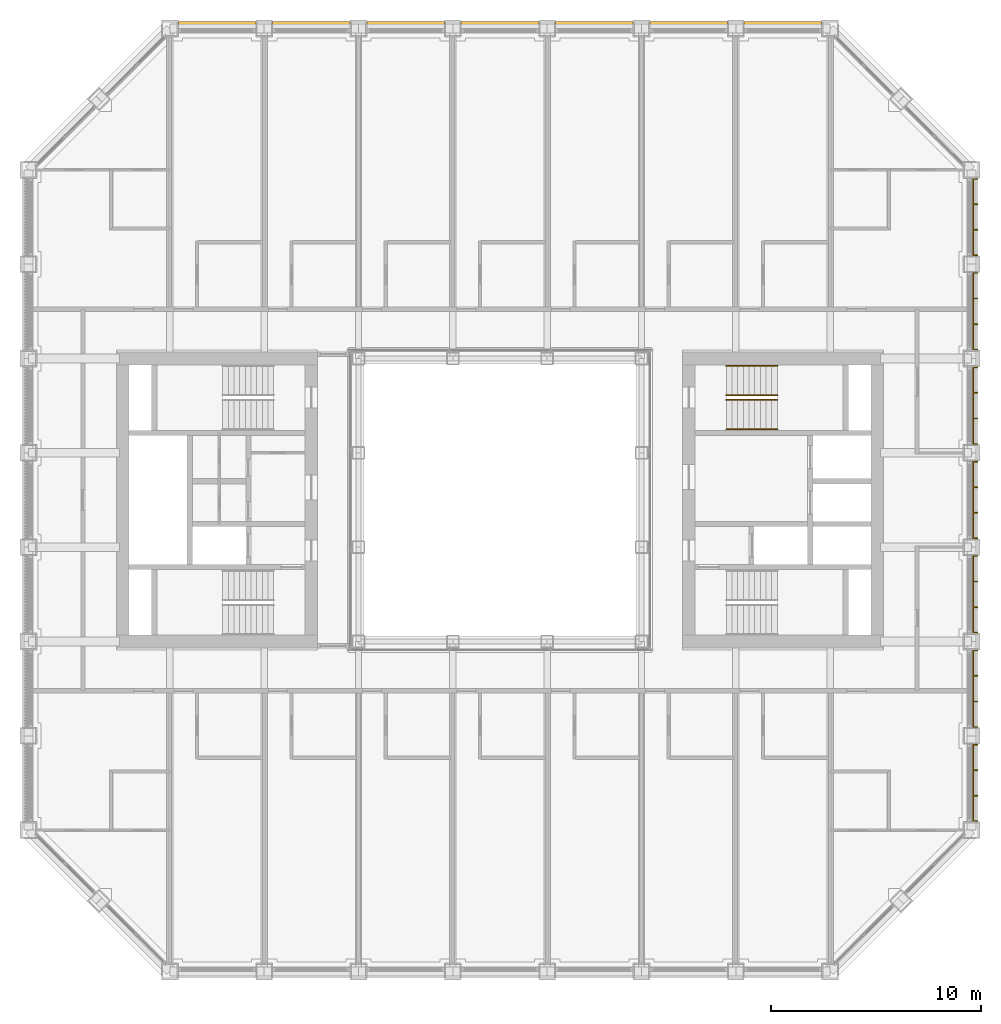
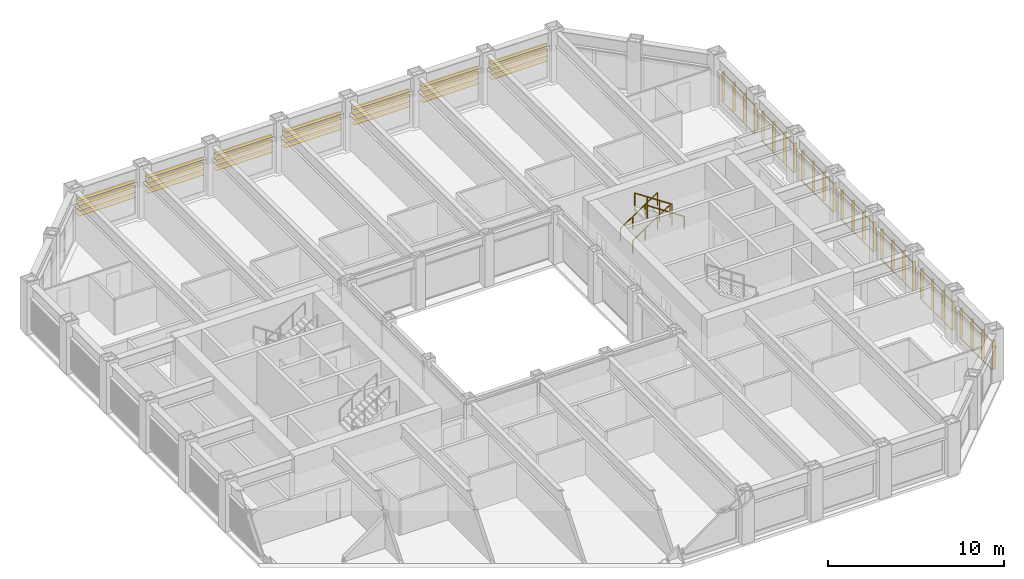
# One storey, part 18 of 18: 4 railings, 2 shading devices.
"""IFC4 building model written with IfcOpenShell, lengths in metres."""

from ifc_helpers import new_model, si_unit, direction, frame, origin, origin_2d, place, context, subcontext, project, spatial, rectangle, circle, extrude, material, type_object, element, save


model = new_model("IFC4")

# Units and contexts
model_context = context("Model", 3, precision=1e-05, world=origin(), true_north=direction((0.0, 1.0)))
body_context = subcontext(model_context, "Body", "Model", "MODEL_VIEW")
ifc_project = project(units=[si_unit("LENGTHUNIT", "METRE"), si_unit("AREAUNIT", "SQUARE_METRE"), si_unit("VOLUMEUNIT", "CUBIC_METRE"), si_unit("PLANEANGLEUNIT", "RADIAN"), si_unit("MASSUNIT", "GRAM", prefix="KILO")], contexts=[model_context])

# Site, building, storey
site_placement = place(None, origin())
site = spatial("IfcSite", under=ifc_project, at=site_placement, CompositionType="ELEMENT")
building_placement = place(site_placement, origin())
building = spatial("IfcBuilding", under=site, at=building_placement, Name="Msasa Ring Tower", CompositionType="ELEMENT")
storey_placement = place(building_placement, frame((0.0, 0.0, 118.39990234375)))
storey = spatial("IfcBuildingStorey", under=building, at=storey_placement, Name="L30", CompositionType="ELEMENT", Elevation=118.39990234375)

# Shading device
ifc_material_1 = material(Name="Extruded terracotta on aluminium carriers", Category="masonry")
shading_device_type_1 = type_object("IfcShadingDeviceType", Name="BS2 TERRACOTTA FIN SCREEN 40x200 AT 1350", PredefinedType="USERDEFINED", material=ifc_material_1)
shading_device_1_placement = place(storey_placement, origin())
element("IfcShadingDevice", 1, at=shading_device_1_placement, inside=storey, type_object=shading_device_type_1, Name="Terracotta fin screen E L30", ObjectType="BAGUETTE", PredefinedType="USERDEFINED", context=body_context, shape_type="SweptSolid", body=[
    extrude(rectangle(XDim=0.06005859375, YDim=0.0400390625, at=origin_2d()), frame((22.580078125, -15.35009765625, 0.330078125), z_axis=(0.0, 1.0, 0.0), x_axis=(0.0, 0.0, 1.0)), (0.0, 0.0, 1.0), 3.699951171875),
    extrude(rectangle(XDim=0.06005859375, YDim=0.0400390625, at=origin_2d()), frame((22.580078125, -15.35009765625, 2.299072265625), z_axis=(0.0, 1.0, 0.0), x_axis=(0.0, 0.0, 1.0)), (0.0, 0.0, 1.0), 3.699951171875),
    extrude(rectangle(XDim=0.0400390625, YDim=0.199951171875, at=origin_2d()), frame((22.695068359375, -15.330078125, 0.300048828125), z_axis=(0.0, 0.0, 1.0), x_axis=(0.0, 1.0, 0.0)), (0.0, 0.0, 1.0), 2.029052734375),
    extrude(rectangle(XDim=0.0400390625, YDim=0.199951171875, at=origin_2d()), frame((22.695068359375, -14.110107421875, 0.300048828125), z_axis=(0.0, 0.0, 1.0), x_axis=(0.0, 1.0, 0.0)), (0.0, 0.0, 1.0), 2.029052734375),
    extrude(rectangle(XDim=0.0400390625, YDim=0.199951171875, at=origin_2d()), frame((22.695068359375, -12.889892578125, 0.300048828125), z_axis=(0.0, 0.0, 1.0), x_axis=(0.0, 1.0, 0.0)), (0.0, 0.0, 1.0), 2.029052734375),
    extrude(rectangle(XDim=0.0400390625, YDim=0.199951171875, at=origin_2d()), frame((22.695068359375, -11.669921875, 0.300048828125), z_axis=(0.0, 0.0, 1.0), x_axis=(0.0, 1.0, 0.0)), (0.0, 0.0, 1.0), 2.029052734375),
    extrude(rectangle(XDim=0.06005859375, YDim=0.0400390625, at=origin_2d()), frame((22.580078125, -10.85009765625, 0.330078125), z_axis=(0.0, 1.0, 0.0), x_axis=(0.0, 0.0, 1.0)), (0.0, 0.0, 1.0), 3.699951171875),
    extrude(rectangle(XDim=0.06005859375, YDim=0.0400390625, at=origin_2d()), frame((22.580078125, -10.85009765625, 2.299072265625), z_axis=(0.0, 1.0, 0.0), x_axis=(0.0, 0.0, 1.0)), (0.0, 0.0, 1.0), 3.699951171875),
    extrude(rectangle(XDim=0.0400390625, YDim=0.199951171875, at=origin_2d()), frame((22.695068359375, -10.830078125, 0.300048828125), z_axis=(0.0, 0.0, 1.0), x_axis=(0.0, 1.0, 0.0)), (0.0, 0.0, 1.0), 2.029052734375),
    extrude(rectangle(XDim=0.0400390625, YDim=0.199951171875, at=origin_2d()), frame((22.695068359375, -9.610107421875, 0.300048828125), z_axis=(0.0, 0.0, 1.0), x_axis=(0.0, 1.0, 0.0)), (0.0, 0.0, 1.0), 2.029052734375),
    extrude(rectangle(XDim=0.0400390625, YDim=0.199951171875, at=origin_2d()), frame((22.695068359375, -8.389892578125, 0.300048828125), z_axis=(0.0, 0.0, 1.0), x_axis=(0.0, 1.0, 0.0)), (0.0, 0.0, 1.0), 2.029052734375),
    extrude(rectangle(XDim=0.0400390625, YDim=0.199951171875, at=origin_2d()), frame((22.695068359375, -7.169921875, 0.300048828125), z_axis=(0.0, 0.0, 1.0), x_axis=(0.0, 1.0, 0.0)), (0.0, 0.0, 1.0), 2.029052734375),
    extrude(rectangle(XDim=0.06005859375, YDim=0.0400390625, at=origin_2d()), frame((22.580078125, -6.35009765625, 0.330078125), z_axis=(0.0, 1.0, 0.0), x_axis=(0.0, 0.0, 1.0)), (0.0, 0.0, 1.0), 3.699951171875),
    extrude(rectangle(XDim=0.06005859375, YDim=0.0400390625, at=origin_2d()), frame((22.580078125, -6.35009765625, 2.299072265625), z_axis=(0.0, 1.0, 0.0), x_axis=(0.0, 0.0, 1.0)), (0.0, 0.0, 1.0), 3.699951171875),
    extrude(rectangle(XDim=0.0400390625, YDim=0.199951171875, at=origin_2d()), frame((22.695068359375, -6.330078125, 0.300048828125), z_axis=(0.0, 0.0, 1.0), x_axis=(0.0, 1.0, 0.0)), (0.0, 0.0, 1.0), 2.029052734375),
    extrude(rectangle(XDim=0.0400390625, YDim=0.199951171875, at=origin_2d()), frame((22.695068359375, -5.110107421875, 0.300048828125), z_axis=(0.0, 0.0, 1.0), x_axis=(0.0, 1.0, 0.0)), (0.0, 0.0, 1.0), 2.029052734375),
    extrude(rectangle(XDim=0.0400390625, YDim=0.199951171875, at=origin_2d()), frame((22.695068359375, -3.889892578125, 0.300048828125), z_axis=(0.0, 0.0, 1.0), x_axis=(0.0, 1.0, 0.0)), (0.0, 0.0, 1.0), 2.029052734375),
    extrude(rectangle(XDim=0.0400390625, YDim=0.199951171875, at=origin_2d()), frame((22.695068359375, -2.669921875, 0.300048828125), z_axis=(0.0, 0.0, 1.0), x_axis=(0.0, 1.0, 0.0)), (0.0, 0.0, 1.0), 2.029052734375),
    extrude(rectangle(XDim=0.06005859375, YDim=0.0400390625, at=origin_2d()), frame((22.580078125, -1.85009765625, 0.330078125), z_axis=(0.0, 1.0, 0.0), x_axis=(0.0, 0.0, 1.0)), (0.0, 0.0, 1.0), 3.699951171875),
    extrude(rectangle(XDim=0.06005859375, YDim=0.0400390625, at=origin_2d()), frame((22.580078125, -1.85009765625, 2.299072265625), z_axis=(0.0, 1.0, 0.0), x_axis=(0.0, 0.0, 1.0)), (0.0, 0.0, 1.0), 3.699951171875),
    extrude(rectangle(XDim=0.0400390625, YDim=0.199951171875, at=origin_2d()), frame((22.695068359375, -1.830078125, 0.300048828125), z_axis=(0.0, 0.0, 1.0), x_axis=(0.0, 1.0, 0.0)), (0.0, 0.0, 1.0), 2.029052734375),
    extrude(rectangle(XDim=0.0400390625, YDim=0.199951171875, at=origin_2d()), frame((22.695068359375, -0.610107421875, 0.300048828125), z_axis=(0.0, 0.0, 1.0), x_axis=(0.0, 1.0, 0.0)), (0.0, 0.0, 1.0), 2.029052734375),
    extrude(rectangle(XDim=0.0400390625, YDim=0.199951171875, at=origin_2d()), frame((22.695068359375, 0.610107421875, 0.300048828125), z_axis=(0.0, 0.0, 1.0), x_axis=(0.0, 1.0, 0.0)), (0.0, 0.0, 1.0), 2.029052734375),
    extrude(rectangle(XDim=0.0400390625, YDim=0.199951171875, at=origin_2d()), frame((22.695068359375, 1.830078125, 0.300048828125), z_axis=(0.0, 0.0, 1.0), x_axis=(0.0, 1.0, 0.0)), (0.0, 0.0, 1.0), 2.029052734375),
    extrude(rectangle(XDim=0.06005859375, YDim=0.0400390625, at=origin_2d()), frame((22.580078125, 2.64990234375, 0.330078125), z_axis=(0.0, 1.0, 0.0), x_axis=(0.0, 0.0, 1.0)), (0.0, 0.0, 1.0), 3.699951171875),
    extrude(rectangle(XDim=0.06005859375, YDim=0.0400390625, at=origin_2d()), frame((22.580078125, 2.64990234375, 2.299072265625), z_axis=(0.0, 1.0, 0.0), x_axis=(0.0, 0.0, 1.0)), (0.0, 0.0, 1.0), 3.699951171875),
    extrude(rectangle(XDim=0.0400390625, YDim=0.199951171875, at=origin_2d()), frame((22.695068359375, 2.669921875, 0.300048828125), z_axis=(0.0, 0.0, 1.0), x_axis=(0.0, 1.0, 0.0)), (0.0, 0.0, 1.0), 2.029052734375),
    extrude(rectangle(XDim=0.0400390625, YDim=0.199951171875, at=origin_2d()), frame((22.695068359375, 3.889892578125, 0.300048828125), z_axis=(0.0, 0.0, 1.0), x_axis=(0.0, 1.0, 0.0)), (0.0, 0.0, 1.0), 2.029052734375),
    extrude(rectangle(XDim=0.0400390625, YDim=0.199951171875, at=origin_2d()), frame((22.695068359375, 5.110107421875, 0.300048828125), z_axis=(0.0, 0.0, 1.0), x_axis=(0.0, 1.0, 0.0)), (0.0, 0.0, 1.0), 2.029052734375),
    extrude(rectangle(XDim=0.0400390625, YDim=0.199951171875, at=origin_2d()), frame((22.695068359375, 6.330078125, 0.300048828125), z_axis=(0.0, 0.0, 1.0), x_axis=(0.0, 1.0, 0.0)), (0.0, 0.0, 1.0), 2.029052734375),
    extrude(rectangle(XDim=0.06005859375, YDim=0.0400390625, at=origin_2d()), frame((22.580078125, 7.14990234375, 0.330078125), z_axis=(0.0, 1.0, 0.0), x_axis=(0.0, 0.0, 1.0)), (0.0, 0.0, 1.0), 3.699951171875),
    extrude(rectangle(XDim=0.06005859375, YDim=0.0400390625, at=origin_2d()), frame((22.580078125, 7.14990234375, 2.299072265625), z_axis=(0.0, 1.0, 0.0), x_axis=(0.0, 0.0, 1.0)), (0.0, 0.0, 1.0), 3.699951171875),
    extrude(rectangle(XDim=0.0400390625, YDim=0.199951171875, at=origin_2d()), frame((22.695068359375, 7.169921875, 0.300048828125), z_axis=(0.0, 0.0, 1.0), x_axis=(0.0, 1.0, 0.0)), (0.0, 0.0, 1.0), 2.029052734375),
    extrude(rectangle(XDim=0.0400390625, YDim=0.199951171875, at=origin_2d()), frame((22.695068359375, 8.389892578125, 0.300048828125), z_axis=(0.0, 0.0, 1.0), x_axis=(0.0, 1.0, 0.0)), (0.0, 0.0, 1.0), 2.029052734375),
    extrude(rectangle(XDim=0.0400390625, YDim=0.199951171875, at=origin_2d()), frame((22.695068359375, 9.610107421875, 0.300048828125), z_axis=(0.0, 0.0, 1.0), x_axis=(0.0, 1.0, 0.0)), (0.0, 0.0, 1.0), 2.029052734375),
    extrude(rectangle(XDim=0.0400390625, YDim=0.199951171875, at=origin_2d()), frame((22.695068359375, 10.830078125, 0.300048828125), z_axis=(0.0, 0.0, 1.0), x_axis=(0.0, 1.0, 0.0)), (0.0, 0.0, 1.0), 2.029052734375),
    extrude(rectangle(XDim=0.06005859375, YDim=0.0400390625, at=origin_2d()), frame((22.580078125, 11.64990234375, 0.330078125), z_axis=(0.0, 1.0, 0.0), x_axis=(0.0, 0.0, 1.0)), (0.0, 0.0, 1.0), 3.699951171875),
    extrude(rectangle(XDim=0.06005859375, YDim=0.0400390625, at=origin_2d()), frame((22.580078125, 11.64990234375, 2.299072265625), z_axis=(0.0, 1.0, 0.0), x_axis=(0.0, 0.0, 1.0)), (0.0, 0.0, 1.0), 3.699951171875),
    extrude(rectangle(XDim=0.0400390625, YDim=0.199951171875, at=origin_2d()), frame((22.695068359375, 11.669921875, 0.300048828125), z_axis=(0.0, 0.0, 1.0), x_axis=(0.0, 1.0, 0.0)), (0.0, 0.0, 1.0), 2.029052734375),
    extrude(rectangle(XDim=0.0400390625, YDim=0.199951171875, at=origin_2d()), frame((22.695068359375, 12.889892578125, 0.300048828125), z_axis=(0.0, 0.0, 1.0), x_axis=(0.0, 1.0, 0.0)), (0.0, 0.0, 1.0), 2.029052734375),
    extrude(rectangle(XDim=0.0400390625, YDim=0.199951171875, at=origin_2d()), frame((22.695068359375, 14.110107421875, 0.300048828125), z_axis=(0.0, 0.0, 1.0), x_axis=(0.0, 1.0, 0.0)), (0.0, 0.0, 1.0), 2.029052734375),
    extrude(rectangle(XDim=0.0400390625, YDim=0.199951171875, at=origin_2d()), frame((22.695068359375, 15.330078125, 0.300048828125), z_axis=(0.0, 0.0, 1.0), x_axis=(0.0, 1.0, 0.0)), (0.0, 0.0, 1.0), 2.029052734375),
])

# Railings
ifc_material_2 = material(Name="Stainless steel", Category="steel")
railing_type = type_object("IfcRailingType", Name="HR1 HANDRAIL 900", PredefinedType="HANDRAIL", material=ifc_material_2)
for number, where, name in (
    (2, (10.800048828125, 5.0, 0.18017578125), "Handrail stair SEB L30 1"),
    (3, (10.800048828125, 6.39990234375, 0.18017578125), "Handrail stair SEB L30 2"),
):
    element("IfcRailing", number, at=place(storey_placement, frame(where)), inside=storey, type_object=railing_type, Name=name, PredefinedType="HANDRAIL", context=body_context, shape_type="SweptSolid", body=[
        extrude(circle(Radius=0.02392578125, at=origin_2d()), frame((0.0, 0.0, 0.8759765625), z_axis=(0.832063155534, 0.0, 0.554680903946), x_axis=(0.0, 1.0, 0.0)), (0.0, 0.0, 1.0), 2.92041015625),
        extrude(circle(Radius=0.02099609375, at=origin_2d()), origin(), (0.0, 0.0, 1.0), 0.851806640625),
        extrude(circle(Radius=0.02099609375, at=origin_2d()), frame((0.81005859375, 0.0, 0.5400390625)), (0.0, 0.0, 1.0), 0.851806640625),
        extrude(circle(Radius=0.02099609375, at=origin_2d()), frame((1.619873046875, 0.0, 1.079833984375)), (0.0, 0.0, 1.0), 0.851806640625),
        extrude(circle(Radius=0.02099609375, at=origin_2d()), frame((2.429931640625, 0.0, 1.619873046875)), (0.0, 0.0, 1.0), 0.851806640625),
    ])
for number, where, name in (
    (4, (13.22998046875, 3.375, 1.97998046875), "Handrail stair SEB L30 3"),
    (5, (13.22998046875, 4.77490234375, 1.97998046875), "Handrail stair SEB L30 4"),
):
    element("IfcRailing", number, at=place(storey_placement, frame(where)), inside=storey, type_object=railing_type, Name=name, PredefinedType="HANDRAIL", context=body_context, shape_type="SweptSolid", body=[
        extrude(circle(Radius=0.02392578125, at=origin_2d()), frame((0.0, 0.0, 0.8759765625), z_axis=(-0.832024571796, 0.0, 0.554738778101), x_axis=(0.0, -1.0, 0.0)), (0.0, 0.0, 1.0), 2.92041015625),
        extrude(circle(Radius=0.02099609375, at=origin_2d()), origin(), (0.0, 0.0, 1.0), 0.851806640625),
        extrude(circle(Radius=0.02099609375, at=origin_2d()), frame((-0.81005859375, 0.0, 0.5400390625)), (0.0, 0.0, 1.0), 0.851806640625),
        extrude(circle(Radius=0.02099609375, at=origin_2d()), frame((-1.619873046875, 0.0, 1.080078125)), (0.0, 0.0, 1.0), 0.851806640625),
        extrude(circle(Radius=0.02099609375, at=origin_2d()), frame((-2.429931640625, 0.0, 1.6201171875)), (0.0, 0.0, 1.0), 0.851806640625),
    ])

# Shading device
ifc_material_3 = material(Name="Extruded terracotta blades", Category="masonry")
shading_device_type_2 = type_object("IfcShadingDeviceType", Name="SS1 TERRACOTTA SUNSHADE 4 BLADES 300x40 AT 350", PredefinedType="USERDEFINED", material=ifc_material_3)
shading_device_2_placement = place(storey_placement, origin())
element("IfcShadingDevice", 6, at=shading_device_2_placement, inside=storey, type_object=shading_device_type_2, Name="Terracotta sunshade N L30", ObjectType="SUNSHADE", PredefinedType="USERDEFINED", context=body_context, shape_type="SweptSolid", body=[
    extrude(rectangle(XDim=0.0400390625, YDim=0.300048828125, at=origin_2d()), frame((-15.35009765625, 22.679931640625, 2.30908203125), z_axis=(1.0, 0.0, 0.0), x_axis=(0.0, 0.0, 1.0)), (0.0, 0.0, 1.0), 3.699951171875),
    extrude(rectangle(XDim=0.0400390625, YDim=0.300048828125, at=origin_2d()), frame((-15.35009765625, 22.679931640625, 1.958984375), z_axis=(1.0, 0.0, 0.0), x_axis=(0.0, 0.0, 1.0)), (0.0, 0.0, 1.0), 3.699951171875),
    extrude(rectangle(XDim=0.0400390625, YDim=0.300048828125, at=origin_2d()), frame((-15.35009765625, 22.679931640625, 1.609130859375), z_axis=(1.0, 0.0, 0.0), x_axis=(0.0, 0.0, 1.0)), (0.0, 0.0, 1.0), 3.699951171875),
    extrude(rectangle(XDim=0.0400390625, YDim=0.300048828125, at=origin_2d()), frame((-15.35009765625, 22.679931640625, 1.259033203125), z_axis=(1.0, 0.0, 0.0), x_axis=(0.0, 0.0, 1.0)), (0.0, 0.0, 1.0), 3.699951171875),
    extrude(rectangle(XDim=0.0400390625, YDim=0.300048828125, at=origin_2d()), frame((-10.85009765625, 22.679931640625, 2.30908203125), z_axis=(1.0, 0.0, 0.0), x_axis=(0.0, 0.0, 1.0)), (0.0, 0.0, 1.0), 3.699951171875),
    extrude(rectangle(XDim=0.0400390625, YDim=0.300048828125, at=origin_2d()), frame((-10.85009765625, 22.679931640625, 1.958984375), z_axis=(1.0, 0.0, 0.0), x_axis=(0.0, 0.0, 1.0)), (0.0, 0.0, 1.0), 3.699951171875),
    extrude(rectangle(XDim=0.0400390625, YDim=0.300048828125, at=origin_2d()), frame((-10.85009765625, 22.679931640625, 1.609130859375), z_axis=(1.0, 0.0, 0.0), x_axis=(0.0, 0.0, 1.0)), (0.0, 0.0, 1.0), 3.699951171875),
    extrude(rectangle(XDim=0.0400390625, YDim=0.300048828125, at=origin_2d()), frame((-10.85009765625, 22.679931640625, 1.259033203125), z_axis=(1.0, 0.0, 0.0), x_axis=(0.0, 0.0, 1.0)), (0.0, 0.0, 1.0), 3.699951171875),
    extrude(rectangle(XDim=0.0400390625, YDim=0.300048828125, at=origin_2d()), frame((-6.35009765625, 22.679931640625, 2.30908203125), z_axis=(1.0, 0.0, 0.0), x_axis=(0.0, 0.0, 1.0)), (0.0, 0.0, 1.0), 3.699951171875),
    extrude(rectangle(XDim=0.0400390625, YDim=0.300048828125, at=origin_2d()), frame((-6.35009765625, 22.679931640625, 1.958984375), z_axis=(1.0, 0.0, 0.0), x_axis=(0.0, 0.0, 1.0)), (0.0, 0.0, 1.0), 3.699951171875),
    extrude(rectangle(XDim=0.0400390625, YDim=0.300048828125, at=origin_2d()), frame((-6.35009765625, 22.679931640625, 1.609130859375), z_axis=(1.0, 0.0, 0.0), x_axis=(0.0, 0.0, 1.0)), (0.0, 0.0, 1.0), 3.699951171875),
    extrude(rectangle(XDim=0.0400390625, YDim=0.300048828125, at=origin_2d()), frame((-6.35009765625, 22.679931640625, 1.259033203125), z_axis=(1.0, 0.0, 0.0), x_axis=(0.0, 0.0, 1.0)), (0.0, 0.0, 1.0), 3.699951171875),
    extrude(rectangle(XDim=0.0400390625, YDim=0.300048828125, at=origin_2d()), frame((-1.85009765625, 22.679931640625, 2.30908203125), z_axis=(1.0, 0.0, 0.0), x_axis=(0.0, 0.0, 1.0)), (0.0, 0.0, 1.0), 3.699951171875),
    extrude(rectangle(XDim=0.0400390625, YDim=0.300048828125, at=origin_2d()), frame((-1.85009765625, 22.679931640625, 1.958984375), z_axis=(1.0, 0.0, 0.0), x_axis=(0.0, 0.0, 1.0)), (0.0, 0.0, 1.0), 3.699951171875),
    extrude(rectangle(XDim=0.0400390625, YDim=0.300048828125, at=origin_2d()), frame((-1.85009765625, 22.679931640625, 1.609130859375), z_axis=(1.0, 0.0, 0.0), x_axis=(0.0, 0.0, 1.0)), (0.0, 0.0, 1.0), 3.699951171875),
    extrude(rectangle(XDim=0.0400390625, YDim=0.300048828125, at=origin_2d()), frame((-1.85009765625, 22.679931640625, 1.259033203125), z_axis=(1.0, 0.0, 0.0), x_axis=(0.0, 0.0, 1.0)), (0.0, 0.0, 1.0), 3.699951171875),
    extrude(rectangle(XDim=0.0400390625, YDim=0.300048828125, at=origin_2d()), frame((2.64990234375, 22.679931640625, 2.30908203125), z_axis=(1.0, 0.0, 0.0), x_axis=(0.0, 0.0, 1.0)), (0.0, 0.0, 1.0), 3.699951171875),
    extrude(rectangle(XDim=0.0400390625, YDim=0.300048828125, at=origin_2d()), frame((2.64990234375, 22.679931640625, 1.958984375), z_axis=(1.0, 0.0, 0.0), x_axis=(0.0, 0.0, 1.0)), (0.0, 0.0, 1.0), 3.699951171875),
    extrude(rectangle(XDim=0.0400390625, YDim=0.300048828125, at=origin_2d()), frame((2.64990234375, 22.679931640625, 1.609130859375), z_axis=(1.0, 0.0, 0.0), x_axis=(0.0, 0.0, 1.0)), (0.0, 0.0, 1.0), 3.699951171875),
    extrude(rectangle(XDim=0.0400390625, YDim=0.300048828125, at=origin_2d()), frame((2.64990234375, 22.679931640625, 1.259033203125), z_axis=(1.0, 0.0, 0.0), x_axis=(0.0, 0.0, 1.0)), (0.0, 0.0, 1.0), 3.699951171875),
    extrude(rectangle(XDim=0.0400390625, YDim=0.300048828125, at=origin_2d()), frame((7.14990234375, 22.679931640625, 2.30908203125), z_axis=(1.0, 0.0, 0.0), x_axis=(0.0, 0.0, 1.0)), (0.0, 0.0, 1.0), 3.699951171875),
    extrude(rectangle(XDim=0.0400390625, YDim=0.300048828125, at=origin_2d()), frame((7.14990234375, 22.679931640625, 1.958984375), z_axis=(1.0, 0.0, 0.0), x_axis=(0.0, 0.0, 1.0)), (0.0, 0.0, 1.0), 3.699951171875),
    extrude(rectangle(XDim=0.0400390625, YDim=0.300048828125, at=origin_2d()), frame((7.14990234375, 22.679931640625, 1.609130859375), z_axis=(1.0, 0.0, 0.0), x_axis=(0.0, 0.0, 1.0)), (0.0, 0.0, 1.0), 3.699951171875),
    extrude(rectangle(XDim=0.0400390625, YDim=0.300048828125, at=origin_2d()), frame((7.14990234375, 22.679931640625, 1.259033203125), z_axis=(1.0, 0.0, 0.0), x_axis=(0.0, 0.0, 1.0)), (0.0, 0.0, 1.0), 3.699951171875),
    extrude(rectangle(XDim=0.0400390625, YDim=0.300048828125, at=origin_2d()), frame((11.64990234375, 22.679931640625, 2.30908203125), z_axis=(1.0, 0.0, 0.0), x_axis=(0.0, 0.0, 1.0)), (0.0, 0.0, 1.0), 3.699951171875),
    extrude(rectangle(XDim=0.0400390625, YDim=0.300048828125, at=origin_2d()), frame((11.64990234375, 22.679931640625, 1.958984375), z_axis=(1.0, 0.0, 0.0), x_axis=(0.0, 0.0, 1.0)), (0.0, 0.0, 1.0), 3.699951171875),
    extrude(rectangle(XDim=0.0400390625, YDim=0.300048828125, at=origin_2d()), frame((11.64990234375, 22.679931640625, 1.609130859375), z_axis=(1.0, 0.0, 0.0), x_axis=(0.0, 0.0, 1.0)), (0.0, 0.0, 1.0), 3.699951171875),
    extrude(rectangle(XDim=0.0400390625, YDim=0.300048828125, at=origin_2d()), frame((11.64990234375, 22.679931640625, 1.259033203125), z_axis=(1.0, 0.0, 0.0), x_axis=(0.0, 0.0, 1.0)), (0.0, 0.0, 1.0), 3.699951171875),
])

save(model, "model.ifc")
